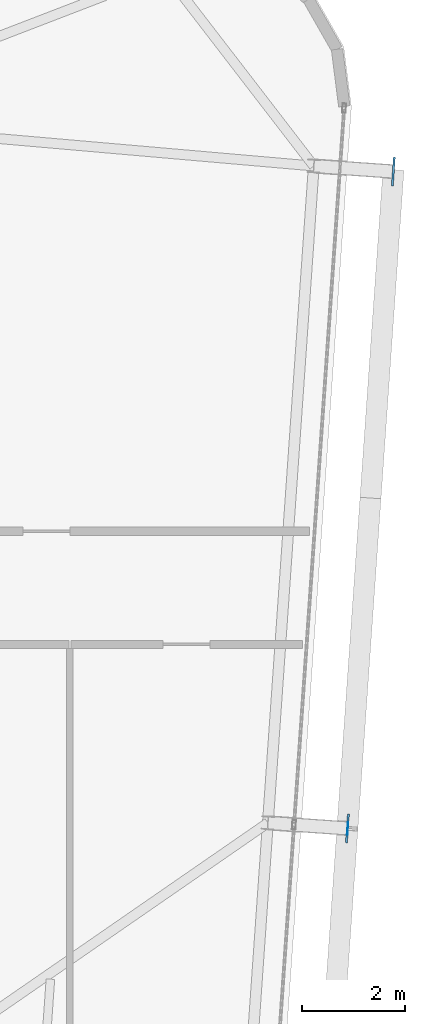
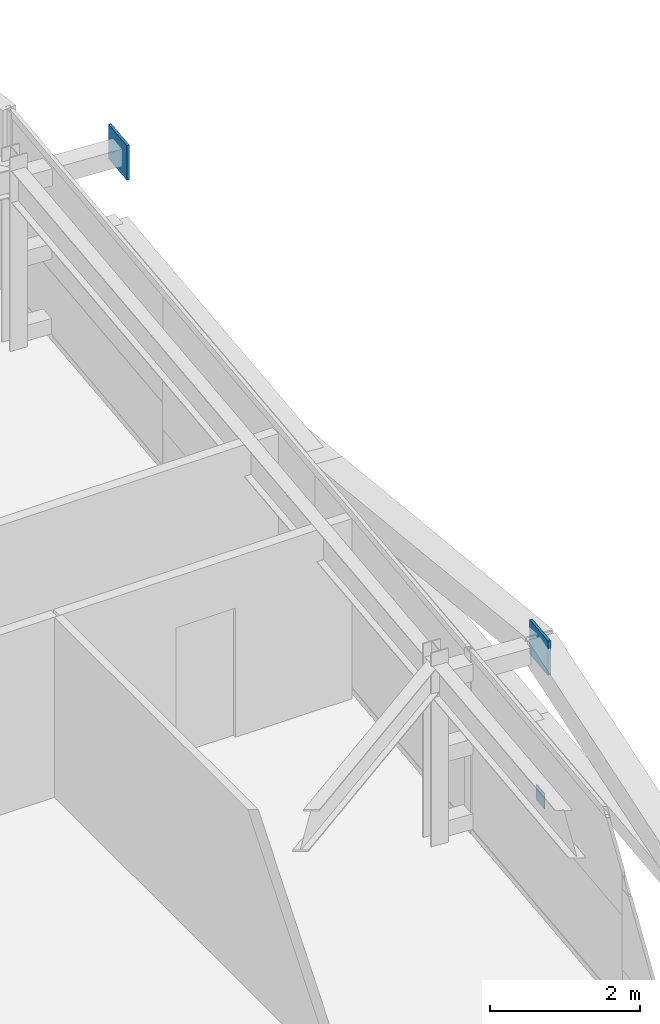
# One storey, part 31 of 39: 3 plates.
"""IFC4 building model written with IfcOpenShell, lengths in metres."""

from ifc_helpers import new_model, si_unit, direction, frame, origin, origin_2d, place, context, subcontext, project, spatial, rectangle, extrude, source, transform, mapped, material, layer, layer_set, type_object, element, save


model = new_model("IFC4")

# Units and contexts
model_context = context("Model", 3, precision=1e-05, world=origin(), true_north=direction((0.0, 1.0)))
body_context = subcontext(model_context, "Body", "Model", "MODEL_VIEW")
ifc_project = project(units=[si_unit("LENGTHUNIT", "METRE"), si_unit("AREAUNIT", "SQUARE_METRE"), si_unit("VOLUMEUNIT", "CUBIC_METRE"), si_unit("PLANEANGLEUNIT", "RADIAN"), si_unit("MASSUNIT", "GRAM", prefix="KILO")], contexts=[model_context])

# Site, building, storey
site_placement = place(None, origin())
site = spatial("IfcSite", under=ifc_project, at=site_placement, CompositionType="ELEMENT")
building_placement = place(site_placement, origin())
building = spatial("IfcBuilding", under=site, at=building_placement, Name="Taldren Reach Tower", CompositionType="ELEMENT")
storey_placement = place(building_placement, frame((0.0, 0.0, 133.0)))
storey = spatial("IfcBuildingStorey", under=building, at=storey_placement, Name="L40", CompositionType="ELEMENT", Elevation=133.0)

# Plates
ifc_material_1 = material(Name="Steel Gr 450 (C450L0)", Category="steel")
ifc_layer_1 = layer(ifc_material_1, 0.0400390625)
ifc_layer_set_1 = layer_set([ifc_layer_1], Name="Steel Gr 450 (C450L0)")
plate_type_1 = type_object("IfcPlateType", Name="PL-GUSSET-40", PredefinedType="SHEET", material=ifc_layer_set_1)
shared_shape_1 = source(origin(), body_context, "Body", "SweptSolid", [
    extrude(rectangle(XDim=0.56005859375, YDim=0.0400390625, at=origin_2d()), origin(), (0.0, 0.0, 1.0), 0.56005859375),
])
for number, where, z_axis, x_axis, name in (
    (1, (61.984375, 18.2236328125, 2.369873046875), (0.0, 0.0, 1.0), (0.069756473744, 0.99756405026, 0.0), "Exoskeleton star-node gusset plate B3-E2 L40"),
    (2, (62.87744140625, 30.992431640625, 2.369873046875), (0.0, 0.0, 1.0), (0.069756473744, 0.99756405026, 0.0), "Exoskeleton star-node gusset plate B3-E3 L40"),
):
    element("IfcPlate", number, at=place(storey_placement, frame(where, z_axis=z_axis, x_axis=x_axis)), inside=storey, type_object=plate_type_1, Name=name, PredefinedType="SHEET", context=body_context, shape_type="MappedRepresentation", body=[
        mapped(shared_shape_1, transform((0.0, 0.0, 0.0), scale=1.0)),
    ])
ifc_material_2 = material(Name="Steel Gr 350 (C350L0)", Category="steel")
ifc_layer_2 = layer(ifc_material_2, 0.011962890625)
ifc_layer_set_2 = layer_set([ifc_layer_2], Name="Steel Gr 350 (C350L0)")
plate_type_2 = type_object("IfcPlateType", Name="PL-CAP-250", PredefinedType="SHEET", material=ifc_layer_set_2)
shared_shape_2 = source(origin(), body_context, "Body", "SweptSolid", [
    extrude(rectangle(XDim=0.011962890625, YDim=0.25, at=origin_2d()), origin(), (0.0, 0.0, 1.0), 0.25),
])
plate_placement = place(storey_placement, frame((61.990478515625, 18.22314453125, 0.094970703125), z_axis=(0.0, 0.0, 1.0), x_axis=(0.99756405026, -0.069756473744, 0.0)))
element("IfcPlate", 3, at=plate_placement, inside=storey, type_object=plate_type_2, Name="Tie strut end cap plate B3-E2 L40", PredefinedType="SHEET", context=body_context, shape_type="MappedRepresentation", body=[
    mapped(shared_shape_2, transform((0.0, 0.0, 0.0), scale=1.0)),
])

save(model, "model.ifc")
